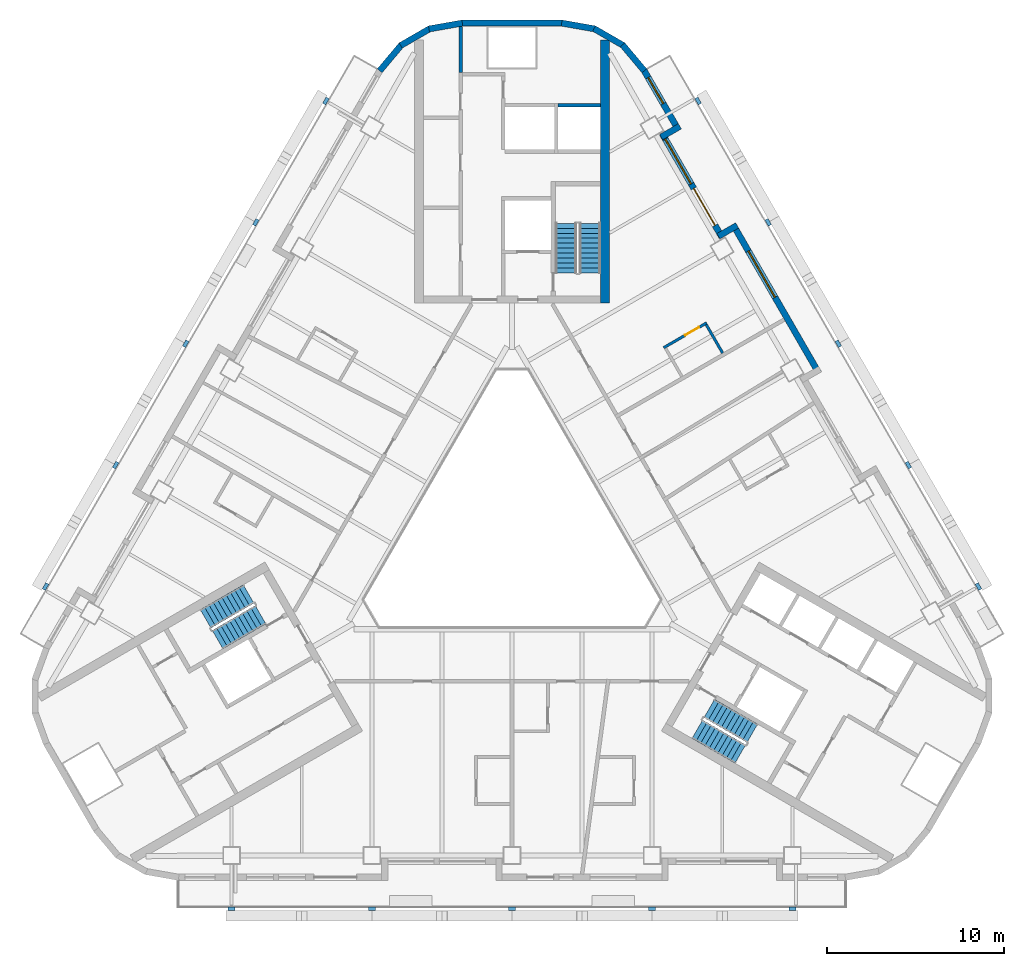
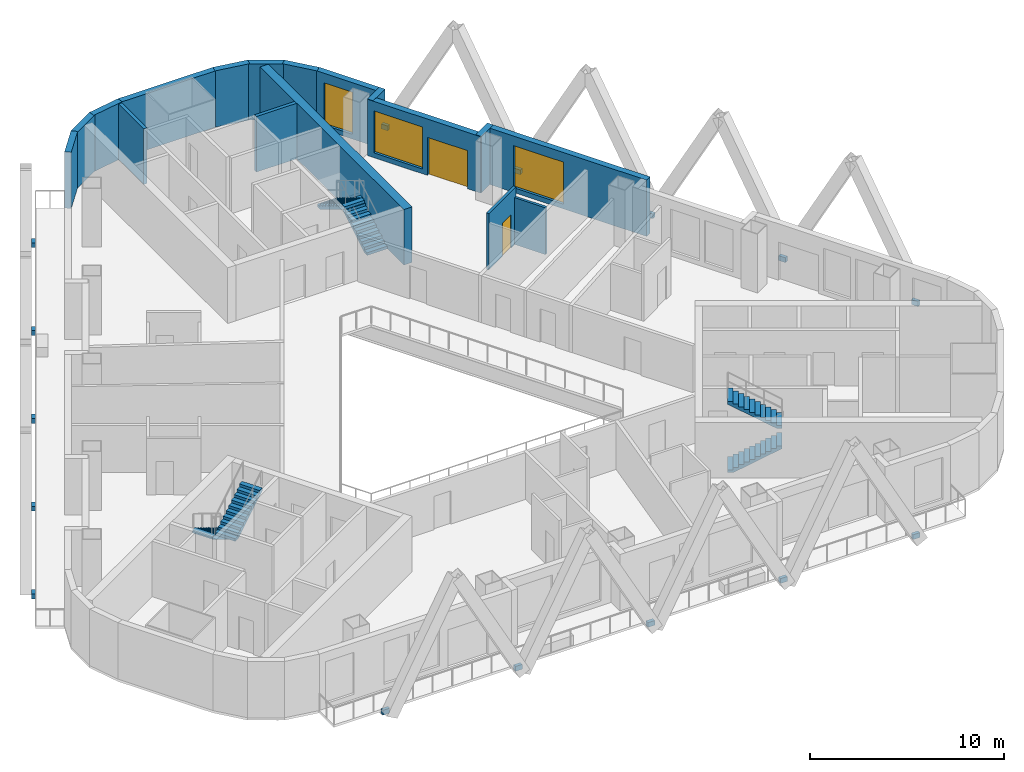
# One storey, part 7 of 13: 17 walls, 15 discrete accessories, 6 stair flights, 3 windows, 2 doors, 5 openings, 3 elements without a shape of their own.
"""IFC4 building model written with IfcOpenShell, lengths in metres."""

import ifcopenshell
import ifcopenshell.guid

model = None  # the IFC model being written
_history = None  # IfcOwnerHistory: only IFC2X3 demands one
_inside = {}  # id of a spatial element -> (the spatial element, [elements in it])
_under = {}  # id of a project, library or spatial element -> (it, [spatial elements below it])
_declared = {}  # id of a project -> (the project, [libraries it declares])
_typed = {}  # id of a type object -> (the type object, [elements of that type])
_made_of = {}  # id of a material, layer set ... -> (it, [elements and type objects made of it])


def new_model(schema):
    """Start an empty IFC model of exactly this schema.

    Asked for "IFC4X3", IfcOpenShell would pick the latest addendum, in which some entities
    have other attributes; the version numbers below select the first issue.
    IFC2X3 requires an IfcOwnerHistory on every rooted entity: one is made here for all.
    """
    global model, _history
    if schema == "IFC4X3":
        model = ifcopenshell.file(schema_version=(4, 3, 0, 0))
    else:
        model = ifcopenshell.file(schema=schema)
    _inside.clear()
    _under.clear()
    _declared.clear()
    _typed.clear()
    _made_of.clear()
    _history = None
    if model.schema == "IFC2X3":
        org = make("IfcOrganization", Name="unknown")
        user = make(
            "IfcPersonAndOrganization",
            ThePerson=make("IfcPerson", FamilyName="unknown"),
            TheOrganization=org,
        )
        app = make(
            "IfcApplication",
            ApplicationDeveloper=org,
            Version="unknown",
            ApplicationFullName="unknown",
            ApplicationIdentifier="unknown",
        )
        _history = make(
            "IfcOwnerHistory",
            OwningUser=user,
            OwningApplication=app,
            ChangeAction="ADDED",
            CreationDate=0,
        )
    return model


def make(cls, **values):
    """One entity of the class cls with the attributes given. An attribute that is None is left unset."""
    return model.create_entity(
        cls, **{name: value for name, value in values.items() if value is not None}
    )


def rooted(cls, **values):
    """An entity with a GlobalId (a new one), such as an element, a storey or a relation."""
    return make(cls, GlobalId=ifcopenshell.guid.new(), OwnerHistory=_history, **values)


def si_unit(unit_type, name, prefix=None):
    """IfcSIUnit, for example si_unit("LENGTHUNIT", "METRE", prefix="MILLI")."""
    return make("IfcSIUnit", UnitType=unit_type, Prefix=prefix, Name=name)


def assignment(units):
    """IfcUnitAssignment: the units of a project."""
    return None if units is None else make("IfcUnitAssignment", Units=units)


def point(xyz):
    """IfcCartesianPoint."""
    return None if xyz is None else make("IfcCartesianPoint", Coordinates=xyz)


def direction(xyz):
    """IfcDirection."""
    return None if xyz is None else make("IfcDirection", DirectionRatios=xyz)


def frame(location, z_axis=None, x_axis=None):
    """IfcAxis2Placement3D, a coordinate frame: its origin and axes. An axis left out is left unset."""
    return make(
        "IfcAxis2Placement3D",
        Location=point(location),
        Axis=direction(z_axis),
        RefDirection=direction(x_axis),
    )


def frame_2d(location, x_axis=None):
    """IfcAxis2Placement2D, a coordinate frame in the plane: its origin and x axis."""
    return make(
        "IfcAxis2Placement2D", Location=point(location), RefDirection=direction(x_axis)
    )


def origin():
    """The frame at (0, 0, 0) with its axes left unset."""
    return frame((0.0, 0.0, 0.0))


def origin_2d():
    """The frame at (0, 0) in the plane with its x axis left unset."""
    return frame_2d((0.0, 0.0))


def place(relative_to, where):
    """IfcLocalPlacement: puts the frame where relative to a parent placement (None: the world)."""
    return make(
        "IfcLocalPlacement", PlacementRelTo=relative_to, RelativePlacement=where
    )


def context(
    kind, dimensions, precision=None, world=None, true_north=None, identifier=None
):
    """IfcGeometricRepresentationContext, for example the 3D "Model" context."""
    return make(
        "IfcGeometricRepresentationContext",
        ContextIdentifier=identifier,
        ContextType=kind,
        CoordinateSpaceDimension=dimensions,
        Precision=precision,
        WorldCoordinateSystem=world,
        TrueNorth=true_north,
    )


def subcontext(parent, identifier, kind, view, scale=None):
    """IfcGeometricRepresentationSubContext, for example "Body" below "Model"."""
    return make(
        "IfcGeometricRepresentationSubContext",
        ContextIdentifier=identifier,
        ContextType=kind,
        ParentContext=parent,
        TargetScale=scale,
        TargetView=view,
    )


def project(units=None, contexts=None):
    """IfcProject with its units and contexts."""
    return rooted(
        "IfcProject",
        Name="project",
        RepresentationContexts=contexts,
        UnitsInContext=assignment(units),
    )


def spatial(cls, under=None, at=None, **own):
    """A site, building, storey or space (cls), placed at a placement, below another one or the project."""
    s = rooted(cls, ObjectPlacement=at, **own)
    if under is not None:
        _under.setdefault(under.id(), (under, []))[1].append(s)
    return s


def polyline(points):
    """IfcPolyline through the points."""
    return make("IfcPolyline", Points=[point(p) for p in points])


def profile(cls, at=None, kind="AREA", **sizes):
    """A parametric profile (cls). Its sizes go by their IFC names, for example OverallWidth=200.0."""
    return make(cls, ProfileType=kind, Position=at, **sizes)


def rectangle(**sizes):
    """IfcRectangleProfileDef."""
    return profile("IfcRectangleProfileDef", **sizes)


def outline(outer, holes=None, kind="AREA"):
    """IfcArbitraryClosedProfileDef: a profile drawn as a closed curve; with holes, ...WithVoids."""
    if holes is None:
        return make("IfcArbitraryClosedProfileDef", ProfileType=kind, OuterCurve=outer)
    return make(
        "IfcArbitraryProfileDefWithVoids",
        ProfileType=kind,
        OuterCurve=outer,
        InnerCurves=holes,
    )


def extrude(swept, where, along, depth):
    """IfcExtrudedAreaSolid: the profile swept, set in the frame where, extruded along a direction by depth."""
    return make(
        "IfcExtrudedAreaSolid",
        SweptArea=swept,
        Position=where,
        ExtrudedDirection=direction(along),
        Depth=depth,
    )


def shape(context_of_items, identifier, shape_type, items):
    """IfcShapeRepresentation: the items that make up one representation, for example the "Body"."""
    return make(
        "IfcShapeRepresentation",
        ContextOfItems=context_of_items,
        RepresentationIdentifier=identifier,
        RepresentationType=shape_type,
        Items=items,
    )


def material(Name=None, Category=None):
    """IfcMaterial."""
    return make("IfcMaterial", Name=Name, Category=Category)


def layer(
    of_material, thickness, ventilated=None, Name=None, Category=None, Priority=None
):
    """IfcMaterialLayer: one layer of a wall or slab, of a material (None: an air gap)."""
    return make(
        "IfcMaterialLayer",
        Material=of_material,
        LayerThickness=thickness,
        IsVentilated=ventilated,
        Name=Name,
        Category=Category,
        Priority=Priority,
    )


def layer_set(layers, Name=None):
    """IfcMaterialLayerSet."""
    return make("IfcMaterialLayerSet", MaterialLayers=layers, LayerSetName=Name)


def made_of(thing, what):
    """Note that an element or type object is made of a material, layer set ...; save() writes the relation."""
    if what is not None:
        _made_of.setdefault(what.id(), (what, []))[1].append(thing)
    return thing


def type_object(cls, material=None, **own):
    """A type object (cls), such as IfcWallType, which elements share."""
    return made_of(rooted(cls, **own), material)


def element(
    cls,
    number,
    at=None,
    inside=None,
    cuts=None,
    type_object=None,
    material=None,
    context=None,
    identifier="Body",
    shape_type=None,
    held_by="IfcProductDefinitionShape",
    body=None,
    shapes=None,
    **own,
):
    """One element of the class cls, such as IfcWall. Its Tag is "e" and its number.

    at: its placement. inside: the storey or other place that contains it. cuts: it is an
    opening in that element (IfcRelVoidsElement). A single representation is given by context,
    identifier, shape_type and body (its items); several are given by shapes. held_by: the class
    of the entity that holds the representations. save() writes the other relations.
    """
    e = rooted(cls, Tag="e%d" % number, ObjectPlacement=at, **own)
    if body is not None:
        shapes = [shape(context, identifier, shape_type, body)]
    if shapes is not None:
        e.Representation = make(held_by, Representations=shapes)
    if inside is not None:
        _inside.setdefault(inside.id(), (inside, []))[1].append(e)
    if cuts is not None:
        rooted(
            "IfcRelVoidsElement", RelatingBuildingElement=cuts, RelatedOpeningElement=e
        )
    if type_object is not None:
        _typed.setdefault(type_object.id(), (type_object, []))[1].append(e)
    return made_of(e, material)


def fill(opening, filler):
    """IfcRelFillsElement: the door or window that sits in an opening."""
    return rooted(
        "IfcRelFillsElement",
        RelatingOpeningElement=opening,
        RelatedBuildingElement=filler,
    )


def aggregate(whole, parts):
    """IfcRelAggregates: a whole, such as a stair, and the parts it consists of."""
    return rooted("IfcRelAggregates", RelatingObject=whole, RelatedObjects=parts)


def save(model, path):
    """Write the relations noted so far, then the file.

    IfcRelAggregates (storeys below a building ...), IfcRelContainedInSpatialStructure (elements
    in a storey), IfcRelDefinesByType, IfcRelAssociatesMaterial and IfcRelDeclares: one each for
    every whole, place, type object, material and project.
    """
    for whole, parts in _under.values():
        aggregate(whole, parts)
    for where, things in _inside.values():
        rooted(
            "IfcRelContainedInSpatialStructure",
            RelatedElements=things,
            RelatingStructure=where,
        )
    for kind, things in _typed.values():
        rooted("IfcRelDefinesByType", RelatedObjects=things, RelatingType=kind)
    for what, things in _made_of.values():
        rooted("IfcRelAssociatesMaterial", RelatedObjects=things, RelatingMaterial=what)
    for by, libraries in _declared.values():
        rooted("IfcRelDeclares", RelatingContext=by, RelatedDefinitions=libraries)
    model.write(path)


model = new_model("IFC4")

# Units and contexts
model_context = context("Model", 3, precision=1e-05, world=origin(), true_north=direction((0.0, 1.0)))
body_context = subcontext(model_context, "Body", "Model", "MODEL_VIEW")
ifc_project = project(units=[si_unit("LENGTHUNIT", "METRE"), si_unit("AREAUNIT", "SQUARE_METRE"), si_unit("VOLUMEUNIT", "CUBIC_METRE"), si_unit("PLANEANGLEUNIT", "RADIAN"), si_unit("MASSUNIT", "GRAM", prefix="KILO")], contexts=[model_context])

# Site, building, storey
site_placement = place(None, origin())
site = spatial("IfcSite", under=ifc_project, at=site_placement, CompositionType="ELEMENT")
building_placement = place(site_placement, origin())
building = spatial("IfcBuilding", under=site, at=building_placement, Name="Apuvela Tower Hotel", CompositionType="ELEMENT")
storey_placement = place(building_placement, frame((0.0, 0.0, 61.300048828125)))
storey = spatial("IfcBuildingStorey", under=building, at=storey_placement, Name="L12", CompositionType="ELEMENT", Elevation=61.300048828125)

# Walls
ifc_material_1 = material(Name="Concrete C50/60", Category="concrete")
ifc_layer_1 = layer(ifc_material_1, 0.5)
ifc_layer_set_1 = layer_set([ifc_layer_1], Name="COR-WALL-CORE-500")
wall_type_1 = type_object("IfcWallType", Name="COR-WALL-CORE-500", PredefinedType="SHEAR", material=ifc_layer_set_1)
wall_1_placement = place(storey_placement, frame((5.25, 12.89990234375, 0.0), z_axis=(0.0, 0.0, 1.0), x_axis=(0.0, 1.0, 0.0)))
element("IfcWall", 1, at=wall_1_placement, inside=storey, type_object=wall_type_1, Name="Core wall N", PredefinedType="SHEAR", context=body_context, shape_type="SweptSolid", body=[
    extrude(rectangle(XDim=14.8369140625, YDim=0.5, at=frame_2d((7.41845703125, 0.0))), origin(), (0.0, 0.0, 1.0), 3.5),
])
ifc_layer_2 = layer(ifc_material_1, 0.199951171875)
ifc_layer_set_2 = layer_set([ifc_layer_2], Name="COR-WALL-SHAFT-200")
wall_type_2 = type_object("IfcWallType", Name="COR-WALL-SHAFT-200", PredefinedType="SHEAR", material=ifc_layer_set_2)
wall_2_placement = place(storey_placement, frame((-2.89990234375, 25.89990234375, 0.0), z_axis=(0.0, 0.0, 1.0), x_axis=(0.0, 1.0, 0.0)))
element("IfcWall", 2, at=wall_2_placement, inside=storey, type_object=wall_type_2, Name="Shaft wall N", PredefinedType="SHEAR", context=body_context, shape_type="SweptSolid", body=[
    extrude(rectangle(XDim=2.60009765625, YDim=0.199951171875, at=frame_2d((1.300048828125, 0.0))), origin(), (0.0, 0.0, 1.0), 3.5),
])
wall_3_placement = place(storey_placement, frame((5.0, 24.050048828125, 0.0), z_axis=(0.0, 0.0, 1.0), x_axis=(-1.0, 0.0, 0.0)))
element("IfcWall", 3, at=wall_3_placement, inside=storey, type_object=wall_type_2, Name="Shaft wall N", PredefinedType="SHEAR", context=body_context, shape_type="SweptSolid", body=[
    extrude(rectangle(XDim=2.39990234375, YDim=0.199951171875, at=frame_2d((1.199951171875, 0.0))), origin(), (0.0, 0.0, 1.0), 3.5),
])

# Wall, opening, window
ifc_material_2 = material(Name="Concrete C40/50, dark pigmented precast panel", Category="concrete")
ifc_layer_3 = layer(ifc_material_2, 0.35009765625)
ifc_layer_set_3 = layer_set([ifc_layer_3], Name="ENV-WALL-350")
wall_type_3 = type_object("IfcWallType", Name="ENV-WALL-350", PredefinedType="SOLIDWALL", material=ifc_layer_set_3)
wall_4_placement = place(storey_placement, frame((17.298583984375, 8.947998046875, 0.0), z_axis=(0.0, 0.0, 1.0), x_axis=(-0.500010041276, 0.866019606374, 0.0)))
wall_4 = element("IfcWall", 4, at=wall_4_placement, inside=storey, type_object=wall_type_3, Name="External wall L12-37", PredefinedType="SOLIDWALL", context=body_context, shape_type="SweptSolid", body=[
    extrude(rectangle(XDim=9.699951171875, YDim=0.35009765625, at=frame_2d((4.85009765625, 0.0))), origin(), (0.0, 0.0, 1.0), 3.550048828125),
])
opening_1_placement = place(wall_4_placement, frame((4.94921875, 0.0, 0.300048828125)))
opening_1 = element("IfcOpeningElement", 5, at=opening_1_placement, cuts=wall_4, Name="Opening WN30", PredefinedType="OPENING", context=body_context, shape_type="SweptSolid", body=[
    extrude(rectangle(XDim=3.0, YDim=2.64990234375, at=frame_2d((1.5, 1.324951171875))), frame((0.0, 0.18505859375, 0.0), z_axis=(0.0, -1.0, 0.0), x_axis=(1.0, 0.0, 0.0)), (0.0, 0.0, 1.0), 0.3701171875),
])
ifc_material_3 = material(Name="Glass, dark tinted laminated insulated glazing unit", Category="glass")
window_type_1 = type_object("IfcWindowType", Name="ENV-WIN-3000x2650", PartitioningType="SINGLE_PANEL", PredefinedType="WINDOW", material=ifc_material_3)
window_1_placement = place(opening_1_placement, origin())
window_1 = element("IfcWindow", 6, at=window_1_placement, inside=storey, type_object=window_type_1, Name="Window WN30", OverallHeight=2.64990234375, OverallWidth=3.0, PartitioningType="SINGLE_PANEL", PredefinedType="WINDOW", context=body_context, shape_type="SweptSolid", body=[
    extrude(rectangle(XDim=3.0, YDim=2.64990234375, at=frame_2d((1.5, 1.324951171875))), frame((0.0, 0.030029296875, 0.0), z_axis=(0.0, -1.0, 0.0), x_axis=(1.0, 0.0, 0.0)), (0.0, 0.0, 1.0), 0.06005859375),
])
fill(opening_1, window_1)

# Wall
wall_5_placement = place(storey_placement, frame((12.6875, 17.284423828125, 0.0), z_axis=(0.0, 0.0, 1.0), x_axis=(-0.865955602162, -0.500120880472, 0.0)))
element("IfcWall", 7, at=wall_5_placement, inside=storey, type_object=wall_type_3, Name="External wall L12-38", PredefinedType="SOLIDWALL", context=body_context, shape_type="SweptSolid", body=[
    extrude(rectangle(XDim=1.219970703125, YDim=0.35009765625, at=frame_2d((0.60986328125, 0.0))), origin(), (0.0, 0.0, 1.0), 3.550048828125),
])

# Wall, openings, door, window
wall_6_placement = place(storey_placement, frame((11.8291015625, 16.621337890625, 0.0), z_axis=(0.0, 0.0, 1.0), x_axis=(-0.500003597184, 0.866023326939, 0.0)))
wall_6 = element("IfcWall", 8, at=wall_6_placement, inside=storey, type_object=wall_type_3, Name="External wall L12-39", PredefinedType="SOLIDWALL", context=body_context, shape_type="SweptSolid", body=[
    extrude(rectangle(XDim=6.740234375, YDim=0.35009765625, at=frame_2d((3.3701171875, 0.0))), origin(), (0.0, 0.0, 1.0), 3.550048828125),
])
opening_2_placement = place(wall_6_placement, frame((0.77001953125, 0.0, 0.0)))
opening_2 = element("IfcOpeningElement", 9, at=opening_2_placement, cuts=wall_6, Name="Opening BD24", PredefinedType="OPENING", context=body_context, shape_type="SweptSolid", body=[
    extrude(rectangle(XDim=2.39990234375, YDim=2.39990234375, at=frame_2d((1.199951171875, 1.199951171875))), frame((0.0, 0.18505859375, 0.0), z_axis=(0.0, -1.0, 0.0), x_axis=(1.0, 0.0, 0.0)), (0.0, 0.0, 1.0), 0.3701171875),
])
opening_3_placement = place(wall_6_placement, frame((3.469970703125, 0.0, 0.300048828125)))
opening_3 = element("IfcOpeningElement", 10, at=opening_3_placement, cuts=wall_6, Name="Opening WN29", PredefinedType="OPENING", context=body_context, shape_type="SweptSolid", body=[
    extrude(rectangle(XDim=2.89990234375, YDim=2.64990234375, at=frame_2d((1.449951171875, 1.324951171875))), frame((0.0, 0.18505859375, 0.0), z_axis=(0.0, -1.0, 0.0), x_axis=(1.0, 0.0, 0.0)), (0.0, 0.0, 1.0), 0.3701171875),
])
ifc_material_4 = material(Name="Aluminium 6063-T6, dark bronze anodised frame with dark tinted laminated glass", Category="aluminium")
door_type_1 = type_object("IfcDoorType", Name="ENV-DOOR-BALCONY-2400x2400", OperationType="SLIDING_TO_LEFT", PredefinedType="DOOR", material=ifc_material_4)
door_1_placement = place(opening_2_placement, frame((2.39990234375, 0.0, 0.0), z_axis=(0.0, 0.0, 1.0), x_axis=(-1.0, 0.0, 0.0)))
door_1 = element("IfcDoor", 11, at=door_1_placement, inside=storey, type_object=door_type_1, Name="Balcony door BD24", OperationType="SLIDING_TO_LEFT", OverallHeight=2.39990234375, OverallWidth=2.39990234375, PredefinedType="DOOR", context=body_context, shape_type="SweptSolid", body=[
    extrude(rectangle(XDim=2.39990234375, YDim=2.39990234375, at=frame_2d((1.199951171875, 1.199951171875))), frame((0.0, 0.02490234375, 0.0), z_axis=(0.0, -1.0, 0.0), x_axis=(1.0, 0.0, 0.0)), (0.0, 0.0, 1.0), 0.050048828125),
])
fill(opening_2, door_1)
window_type_2 = type_object("IfcWindowType", Name="ENV-WIN-2900x2650", PartitioningType="SINGLE_PANEL", PredefinedType="WINDOW", material=ifc_material_3)
window_2_placement = place(opening_3_placement, origin())
window_2 = element("IfcWindow", 12, at=window_2_placement, inside=storey, type_object=window_type_2, Name="Window WN29", OverallHeight=2.64990234375, OverallWidth=2.89990234375, PartitioningType="SINGLE_PANEL", PredefinedType="WINDOW", context=body_context, shape_type="SweptSolid", body=[
    extrude(rectangle(XDim=2.89990234375, YDim=2.64990234375, at=frame_2d((1.449951171875, 1.324951171875))), frame((0.0, 0.030029296875, 0.0), z_axis=(0.0, -1.0, 0.0), x_axis=(1.0, 0.0, 0.0)), (0.0, 0.0, 1.0), 0.06005859375),
])
fill(opening_3, window_2)

# Wall
wall_7_placement = place(storey_placement, frame((8.406005859375, 22.26025390625, 0.0), z_axis=(0.0, 0.0, 1.0), x_axis=(0.865955602162, 0.500120880472, 0.0)))
element("IfcWall", 13, at=wall_7_placement, inside=storey, type_object=wall_type_3, Name="External wall L12-40", PredefinedType="SOLIDWALL", context=body_context, shape_type="SweptSolid", body=[
    extrude(rectangle(XDim=1.219970703125, YDim=0.35009765625, at=frame_2d((0.60986328125, 0.0))), origin(), (0.0, 0.0, 1.0), 3.550048828125),
])

# Wall, opening, window
wall_8_placement = place(storey_placement, frame((9.3984375, 22.631103515625, 0.0), z_axis=(0.0, 0.0, 1.0), x_axis=(-0.499954521343, 0.866051659307, 0.0)))
wall_8 = element("IfcWall", 14, at=wall_8_placement, inside=storey, type_object=wall_type_3, Name="External wall L12-41", PredefinedType="SOLIDWALL", context=body_context, shape_type="SweptSolid", body=[
    extrude(rectangle(XDim=3.915771484375, YDim=0.35009765625, at=frame_2d((1.9580078125, 0.0))), origin(), (0.0, 0.0, 1.0), 3.550048828125),
])
opening_4_placement = place(wall_8_placement, frame((1.749755859375, 0.0, 0.300048828125)))
opening_4 = element("IfcOpeningElement", 15, at=opening_4_placement, cuts=wall_8, Name="Opening WN17", PredefinedType="OPENING", context=body_context, shape_type="SweptSolid", body=[
    extrude(rectangle(XDim=1.699951171875, YDim=2.64990234375, at=frame_2d((0.85009765625, 1.324951171875))), frame((0.0, 0.18505859375, 0.0), z_axis=(0.0, -1.0, 0.0), x_axis=(1.0, 0.0, 0.0)), (0.0, 0.0, 1.0), 0.3701171875),
])
window_type_3 = type_object("IfcWindowType", Name="ENV-WIN-1700x2650", PartitioningType="SINGLE_PANEL", PredefinedType="WINDOW", material=ifc_material_3)
window_3_placement = place(opening_4_placement, origin())
window_3 = element("IfcWindow", 16, at=window_3_placement, inside=storey, type_object=window_type_3, Name="Window WN17", OverallHeight=2.64990234375, OverallWidth=1.699951171875, PartitioningType="SINGLE_PANEL", PredefinedType="WINDOW", context=body_context, shape_type="SweptSolid", body=[
    extrude(rectangle(XDim=1.699951171875, YDim=2.64990234375, at=frame_2d((0.85009765625, 1.324951171875))), frame((0.0, 0.030029296875, 0.0), z_axis=(0.0, -1.0, 0.0), x_axis=(1.0, 0.0, 0.0)), (0.0, 0.0, 1.0), 0.06005859375),
])
fill(opening_4, window_3)

# Walls
wall_9_placement = place(storey_placement, frame((7.4580078125, 25.99755859375, 0.0), z_axis=(0.0, 0.0, 1.0), x_axis=(-0.642808304945, 0.766027077259, 0.0)))
element("IfcWall", 17, at=wall_9_placement, inside=storey, type_object=wall_type_3, Name="External wall L12-42", PredefinedType="SOLIDWALL", context=body_context, shape_type="SweptSolid", body=[
    extrude(rectangle(XDim=1.909912109375, YDim=0.35009765625, at=frame_2d((0.955078125, 0.0))), origin(), (0.0, 0.0, 1.0), 3.550048828125),
])
for number, where, z_axis, x_axis, name in (
    (18, (6.27685546875, 27.421630859375, 0.0), (0.0, 0.0, 1.0), (-0.866032345022, 0.499987977232, 0.0), "External wall L12-43"),
    (19, (4.6796875, 28.35595703125, 0.0), (0.0, 0.0, 1.0), (-0.984798995425, 0.173697837091, 0.0), "External wall L12-44"),
):
    element("IfcWall", number, at=place(storey_placement, frame(where, z_axis=z_axis, x_axis=x_axis)), inside=storey, type_object=wall_type_3, Name=name, PredefinedType="SOLIDWALL", context=body_context, shape_type="SweptSolid", body=[
        extrude(rectangle(XDim=1.91015625, YDim=0.35009765625, at=frame_2d((0.955078125, 0.0))), origin(), (0.0, 0.0, 1.0), 3.550048828125),
    ])
wall_10_placement = place(storey_placement, frame((2.8291015625, 28.68505859375, 0.0), z_axis=(0.0, 0.0, 1.0), x_axis=(-1.0, 0.0, 0.0)))
element("IfcWall", 20, at=wall_10_placement, inside=storey, type_object=wall_type_3, Name="External wall L12-45", PredefinedType="SOLIDWALL", context=body_context, shape_type="SweptSolid", body=[
    extrude(rectangle(XDim=5.658203125, YDim=0.35009765625, at=frame_2d((2.8291015625, 0.0))), origin(), (0.0, 0.0, 1.0), 3.550048828125),
])
for number, where, z_axis, x_axis, name in (
    (21, (-2.798583984375, 28.687744140625, 0.0), (0.0, 0.0, 1.0), (-0.984798995425, -0.173697837091, 0.0), "External wall L12-46"),
    (22, (-4.62255859375, 28.376708984375, 0.0), (0.0, 0.0, 1.0), (-0.866032345022, -0.499987977232, 0.0), "External wall L12-47"),
):
    element("IfcWall", number, at=place(storey_placement, frame(where, z_axis=z_axis, x_axis=x_axis)), inside=storey, type_object=wall_type_3, Name=name, PredefinedType="SOLIDWALL", context=body_context, shape_type="SweptSolid", body=[
        extrude(rectangle(XDim=1.91015625, YDim=0.35009765625, at=frame_2d((0.955078125, 0.0))), origin(), (0.0, 0.0, 1.0), 3.550048828125),
    ])
wall_11_placement = place(storey_placement, frame((-6.230224609375, 27.460693359375, 0.0), z_axis=(0.0, 0.0, 1.0), x_axis=(-0.642808304945, -0.766027077259, 0.0)))
element("IfcWall", 23, at=wall_11_placement, inside=storey, type_object=wall_type_3, Name="External wall L12-48", PredefinedType="SOLIDWALL", context=body_context, shape_type="SweptSolid", body=[
    extrude(rectangle(XDim=1.909912109375, YDim=0.35009765625, at=frame_2d((0.955078125, 0.0))), origin(), (0.0, 0.0, 1.0), 3.550048828125),
])

# Wall, opening, door
ifc_material_5 = material(Name="Moisture-resistant gypsum board wet wall on steel stud", Category="steel")
ifc_layer_4 = layer(ifc_material_5, 0.14990234375)
ifc_layer_set_4 = layer_set([ifc_layer_4], Name="GST-PW3")
wall_type_4 = type_object("IfcWallType", Name="GST-PW3", PredefinedType="PARTITIONING", material=ifc_layer_set_4)
wall_12_placement = place(storey_placement, frame((10.974365234375, 11.7919921875, 0.0), z_axis=(0.0, 0.0, 1.0), x_axis=(-0.866056369097, -0.49994636267, 0.0)))
wall_12 = element("IfcWall", 24, at=wall_12_placement, inside=storey, type_object=wall_type_4, Name="L12 partition 26", PredefinedType="PARTITIONING", context=body_context, shape_type="SweptSolid", body=[
    extrude(rectangle(XDim=2.800048828125, YDim=0.14990234375, at=frame_2d((1.39990234375, 0.0))), origin(), (0.0, 0.0, 1.0), 3.550048828125),
])
opening_5_placement = place(wall_12_placement, frame((0.5, 0.0, 0.0)))
opening_5 = element("IfcOpeningElement", 25, at=opening_5_placement, cuts=wall_12, Name="Opening GD03-11", PredefinedType="OPENING", context=body_context, shape_type="SweptSolid", body=[
    extrude(rectangle(XDim=0.89990234375, YDim=2.10009765625, at=frame_2d((0.449951171875, 1.050048828125))), frame((0.0, 0.0849609375, 0.0), z_axis=(0.0, -1.0, 0.0), x_axis=(1.0, 0.0, 0.0)), (0.0, 0.0, 1.0), 0.169921875),
])
ifc_material_6 = material(Name="Timber door leaf in steel frame", Category="steel")
door_type_2 = type_object("IfcDoorType", Name="GST-D2", OperationType="NOTDEFINED", PredefinedType="DOOR", material=ifc_material_6)
door_2_placement = place(opening_5_placement, origin())
door_2 = element("IfcDoor", 26, at=door_2_placement, inside=storey, type_object=door_type_2, Name="Door L12-11", OperationType="SINGLE_SWING_LEFT", OverallHeight=2.10009765625, OverallWidth=0.89990234375, PredefinedType="DOOR", context=body_context, shape_type="SweptSolid", body=[
    extrude(rectangle(XDim=0.89990234375, YDim=2.10009765625, at=frame_2d((0.449951171875, 1.050048828125))), frame((0.0, 0.02490234375, 0.0), z_axis=(0.0, -1.0, 0.0), x_axis=(1.0, 0.0, 0.0)), (0.0, 0.0, 1.0), 0.050048828125),
])
fill(opening_5, door_2)

# Wall
wall_13_placement = place(storey_placement, frame((11.871826171875, 10.08740234375, 0.0), z_axis=(0.0, 0.0, 1.0), x_axis=(-0.500042316284, 0.866000971088, 0.0)))
element("IfcWall", 27, at=wall_13_placement, inside=storey, type_object=wall_type_4, Name="L12 partition 27", PredefinedType="PARTITIONING", context=body_context, shape_type="SweptSolid", body=[
    extrude(rectangle(XDim=1.849853515625, YDim=0.14990234375, at=frame_2d((0.9248046875, 0.0))), origin(), (0.0, 0.0, 1.0), 2.949951171875),
])

# Stair, stair flights
stair_type = type_object("IfcStairType", Name="COR-STAIR-22R", PredefinedType="HALF_TURN_STAIR", material=ifc_material_1)
stair_1_placement = place(storey_placement, origin())
stair_1 = element("IfcStair", 28, at=stair_1_placement, inside=storey, type_object=stair_type, Name="L12 Exit stair ST1", PredefinedType="HALF_TURN_STAIR")
stair_flight_type = type_object("IfcStairFlightType", Name="COR-FLIGHT-11R", PredefinedType="STRAIGHT", material=ifc_material_1)
stair_flight_1_placement = place(storey_placement, frame((4.39990234375, 14.60009765625, 0.0), z_axis=(0.0, 0.0, 1.0), x_axis=(0.0, 1.0, 0.0)))
stair_flight_1 = element("IfcStairFlight", 29, at=stair_flight_1_placement, type_object=stair_flight_type, Name="ST1 flight 1", NumberOfRisers=11, NumberOfTreads=10, PredefinedType="STRAIGHT", RiserHeight=0.168181818, TreadLength=0.28, context=body_context, shape_type="SweptSolid", body=[
    extrude(outline(polyline([(0.0, 0.0), (0.0, 0.168212890625), (0.280029296875, 0.168212890625), (0.280029296875, 0.33642578125), (0.56005859375, 0.33642578125), (0.56005859375, 0.504638671875), (0.840087890625, 0.504638671875), (0.840087890625, 0.672607421875), (1.1201171875, 0.672607421875), (1.1201171875, 0.8408203125), (1.39990234375, 0.8408203125), (1.39990234375, 1.009033203125), (1.679931640625, 1.009033203125), (1.679931640625, 1.17724609375), (1.9599609375, 1.17724609375), (1.9599609375, 1.345458984375), (2.239990234375, 1.345458984375), (2.239990234375, 1.513671875), (2.52001953125, 1.513671875), (2.52001953125, 1.681884765625), (2.800048828125, 1.681884765625), (2.800048828125, 1.85009765625), (2.800048828125, 1.5068359375), (0.291015625, 0.0), (0.0, 0.0)])), frame((0.0, 0.60009765625, 0.0), z_axis=(0.0, -1.0, 0.0), x_axis=(1.0, 0.0, 0.0)), (0.0, 0.0, 1.0), 1.199951171875),
])
stair_flight_2_placement = place(storey_placement, frame((3.050048828125, 17.39990234375, 1.849853515625), z_axis=(0.0, 0.0, 1.0), x_axis=(0.0, -1.0, 0.0)))
stair_flight_2 = element("IfcStairFlight", 30, at=stair_flight_2_placement, type_object=stair_flight_type, Name="ST1 flight 2", NumberOfRisers=11, NumberOfTreads=10, PredefinedType="STRAIGHT", RiserHeight=0.168181818, TreadLength=0.28, context=body_context, shape_type="SweptSolid", body=[
    extrude(outline(polyline([(0.0, 0.0), (0.0, 0.168212890625), (0.280029296875, 0.168212890625), (0.280029296875, 0.33642578125), (0.56005859375, 0.33642578125), (0.56005859375, 0.504638671875), (0.840087890625, 0.504638671875), (0.840087890625, 0.672607421875), (1.1201171875, 0.672607421875), (1.1201171875, 0.8408203125), (1.39990234375, 0.8408203125), (1.39990234375, 1.009033203125), (1.679931640625, 1.009033203125), (1.679931640625, 1.17724609375), (1.9599609375, 1.17724609375), (1.9599609375, 1.345458984375), (2.239990234375, 1.345458984375), (2.239990234375, 1.513671875), (2.52001953125, 1.513671875), (2.52001953125, 1.681884765625), (2.800048828125, 1.681884765625), (2.800048828125, 1.85009765625), (2.800048828125, 1.5068359375), (0.291015625, 0.0), (0.0, 0.0)])), frame((0.0, 0.60009765625, 0.0), z_axis=(0.0, -1.0, 0.0), x_axis=(1.0, 0.0, 0.0)), (0.0, 0.0, 1.0), 1.199951171875),
])
aggregate(stair_1, [stair_flight_1, stair_flight_2])

stair_2_placement = place(storey_placement, origin())
stair_2 = element("IfcStair", 31, at=stair_2_placement, inside=storey, type_object=stair_type, Name="L12 Exit stair ST2", PredefinedType="HALF_TURN_STAIR")
stair_flight_3_placement = place(storey_placement, frame((-14.843994140625, -3.489501953125, 0.0), z_axis=(0.0, 0.0, 1.0), x_axis=(-0.866025403784, -0.5, 0.0)))
stair_flight_3 = element("IfcStairFlight", 32, at=stair_flight_3_placement, type_object=stair_flight_type, Name="ST2 flight 1", NumberOfRisers=11, NumberOfTreads=10, PredefinedType="STRAIGHT", RiserHeight=0.168181818, TreadLength=0.28, context=body_context, shape_type="SweptSolid", body=[
    extrude(outline(polyline([(0.0, 0.0), (0.0, 0.168212890625), (0.280029296875, 0.168212890625), (0.280029296875, 0.33642578125), (0.56005859375, 0.33642578125), (0.56005859375, 0.504638671875), (0.840087890625, 0.504638671875), (0.840087890625, 0.672607421875), (1.1201171875, 0.672607421875), (1.1201171875, 0.8408203125), (1.39990234375, 0.8408203125), (1.39990234375, 1.009033203125), (1.679931640625, 1.009033203125), (1.679931640625, 1.17724609375), (1.9599609375, 1.17724609375), (1.9599609375, 1.345458984375), (2.239990234375, 1.345458984375), (2.239990234375, 1.513671875), (2.52001953125, 1.513671875), (2.52001953125, 1.681884765625), (2.800048828125, 1.681884765625), (2.800048828125, 1.85009765625), (2.800048828125, 1.5068359375), (0.291015625, 0.0), (0.0, 0.0)])), frame((0.0, 0.60009765625, 0.0), z_axis=(0.0, -1.0, 0.0), x_axis=(1.0, 0.0, 0.0)), (0.0, 0.0, 1.0), 1.199951171875),
])
stair_flight_4_placement = place(storey_placement, frame((-16.59375, -6.05859375, 1.849853515625), z_axis=(0.0, 0.0, 1.0), x_axis=(0.866025403784, 0.5, 0.0)))
stair_flight_4 = element("IfcStairFlight", 33, at=stair_flight_4_placement, type_object=stair_flight_type, Name="ST2 flight 2", NumberOfRisers=11, NumberOfTreads=10, PredefinedType="STRAIGHT", RiserHeight=0.168181818, TreadLength=0.28, context=body_context, shape_type="SweptSolid", body=[
    extrude(outline(polyline([(0.0, 0.0), (0.0, 0.168212890625), (0.280029296875, 0.168212890625), (0.280029296875, 0.33642578125), (0.56005859375, 0.33642578125), (0.56005859375, 0.504638671875), (0.840087890625, 0.504638671875), (0.840087890625, 0.672607421875), (1.1201171875, 0.672607421875), (1.1201171875, 0.8408203125), (1.39990234375, 0.8408203125), (1.39990234375, 1.009033203125), (1.679931640625, 1.009033203125), (1.679931640625, 1.17724609375), (1.9599609375, 1.17724609375), (1.9599609375, 1.345458984375), (2.239990234375, 1.345458984375), (2.239990234375, 1.513671875), (2.52001953125, 1.513671875), (2.52001953125, 1.681884765625), (2.800048828125, 1.681884765625), (2.800048828125, 1.85009765625), (2.800048828125, 1.5068359375), (0.291015625, 0.0), (0.0, 0.0)])), frame((0.0, 0.60009765625, 0.0), z_axis=(0.0, -1.0, 0.0), x_axis=(1.0, 0.0, 0.0)), (0.0, 0.0, 1.0), 1.199951171875),
])
aggregate(stair_2, [stair_flight_3, stair_flight_4])

stair_3_placement = place(storey_placement, origin())
stair_3 = element("IfcStair", 34, at=stair_3_placement, inside=storey, type_object=stair_type, Name="L12 Exit stair ST3", PredefinedType="HALF_TURN_STAIR")
stair_flight_5_placement = place(storey_placement, frame((10.444091796875, -11.110595703125, 0.0), z_axis=(0.0, 0.0, 1.0), x_axis=(0.866025403784, -0.5, 0.0)))
stair_flight_5 = element("IfcStairFlight", 35, at=stair_flight_5_placement, type_object=stair_flight_type, Name="ST3 flight 1", NumberOfRisers=11, NumberOfTreads=10, PredefinedType="STRAIGHT", RiserHeight=0.168181818, TreadLength=0.28, context=body_context, shape_type="SweptSolid", body=[
    extrude(outline(polyline([(0.0, 0.0), (0.0, 0.168212890625), (0.280029296875, 0.168212890625), (0.280029296875, 0.33642578125), (0.56005859375, 0.33642578125), (0.56005859375, 0.504638671875), (0.840087890625, 0.504638671875), (0.840087890625, 0.672607421875), (1.1201171875, 0.672607421875), (1.1201171875, 0.8408203125), (1.39990234375, 0.8408203125), (1.39990234375, 1.009033203125), (1.679931640625, 1.009033203125), (1.679931640625, 1.17724609375), (1.9599609375, 1.17724609375), (1.9599609375, 1.345458984375), (2.239990234375, 1.345458984375), (2.239990234375, 1.513671875), (2.52001953125, 1.513671875), (2.52001953125, 1.681884765625), (2.800048828125, 1.681884765625), (2.800048828125, 1.85009765625), (2.800048828125, 1.5068359375), (0.291015625, 0.0), (0.0, 0.0)])), frame((0.0, 0.60009765625, 0.0), z_axis=(0.0, -1.0, 0.0), x_axis=(1.0, 0.0, 0.0)), (0.0, 0.0, 1.0), 1.199951171875),
])
stair_flight_6_placement = place(storey_placement, frame((13.5439453125, -11.34130859375, 1.849853515625), z_axis=(0.0, 0.0, 1.0), x_axis=(-0.866025403784, 0.5, 0.0)))
stair_flight_6 = element("IfcStairFlight", 36, at=stair_flight_6_placement, type_object=stair_flight_type, Name="ST3 flight 2", NumberOfRisers=11, NumberOfTreads=10, PredefinedType="STRAIGHT", RiserHeight=0.168181818, TreadLength=0.28, context=body_context, shape_type="SweptSolid", body=[
    extrude(outline(polyline([(0.0, 0.0), (0.0, 0.168212890625), (0.280029296875, 0.168212890625), (0.280029296875, 0.33642578125), (0.56005859375, 0.33642578125), (0.56005859375, 0.504638671875), (0.840087890625, 0.504638671875), (0.840087890625, 0.672607421875), (1.1201171875, 0.672607421875), (1.1201171875, 0.8408203125), (1.39990234375, 0.8408203125), (1.39990234375, 1.009033203125), (1.679931640625, 1.009033203125), (1.679931640625, 1.17724609375), (1.9599609375, 1.17724609375), (1.9599609375, 1.345458984375), (2.239990234375, 1.345458984375), (2.239990234375, 1.513671875), (2.52001953125, 1.513671875), (2.52001953125, 1.681884765625), (2.800048828125, 1.681884765625), (2.800048828125, 1.85009765625), (2.800048828125, 1.5068359375), (0.291015625, 0.0), (0.0, 0.0)])), frame((0.0, 0.60009765625, 0.0), z_axis=(0.0, -1.0, 0.0), x_axis=(1.0, 0.0, 0.0)), (0.0, 0.0, 1.0), 1.199951171875),
])
aggregate(stair_3, [stair_flight_5, stair_flight_6])

# Discrete accessories
ifc_material_7 = material(Name="Steel S355, black paint system", Category="steel")
discrete_accessory_type = type_object("IfcDiscreteAccessoryType", Name="ENV-FIN-BRACKET", PredefinedType="BRACKET", material=ifc_material_7)
for number, where, z_axis, x_axis, name in (
    (37, (26.28564453125, -3.068115234375, -0.25), (0.0, 0.0, 1.0), (-0.5, 0.866025403784, 0.0), "Fin bracket NE10"),
    (38, (22.335693359375, 3.7734375, -0.25), (0.0, 0.0, 1.0), (-0.5, 0.866025403784, 0.0), "Fin bracket NE11"),
    (39, (18.3857421875, 10.614990234375, -0.25), (0.0, 0.0, 1.0), (-0.5, 0.866025403784, 0.0), "Fin bracket NE12"),
    (40, (14.435791015625, 17.45654296875, -0.25), (0.0, 0.0, 1.0), (-0.5, 0.866025403784, 0.0), "Fin bracket NE13"),
    (41, (10.485595703125, 24.298095703125, -0.25), (0.0, 0.0, 1.0), (-0.5, 0.866025403784, 0.0), "Fin bracket NE14"),
    (42, (-10.485595703125, 24.298095703125, -0.25), (0.0, 0.0, 1.0), (-0.5, -0.866025403784, 0.0), "Fin bracket NW159"),
    (43, (-14.435791015625, 17.45654296875, -0.25), (0.0, 0.0, 1.0), (-0.5, -0.866025403784, 0.0), "Fin bracket NW160"),
    (44, (-18.3857421875, 10.614990234375, -0.25), (0.0, 0.0, 1.0), (-0.5, -0.866025403784, 0.0), "Fin bracket NW161"),
    (45, (-22.335693359375, 3.7734375, -0.25), (0.0, 0.0, 1.0), (-0.5, -0.866025403784, 0.0), "Fin bracket NW162"),
    (46, (-26.28564453125, -3.068115234375, -0.25), (0.0, 0.0, 1.0), (-0.5, -0.866025403784, 0.0), "Fin bracket NW163"),
    (47, (-15.800048828125, -21.22998046875, -0.25), (0.0, 0.0, 1.0), (1.0, 0.0, 0.0), "Fin bracket S309"),
    (48, (-7.89990234375, -21.22998046875, -0.25), (0.0, 0.0, 1.0), (1.0, 0.0, 0.0), "Fin bracket S310"),
    (49, (0.0, -21.22998046875, -0.25), (0.0, 0.0, 1.0), (1.0, 0.0, 0.0), "Fin bracket S311"),
    (50, (7.89990234375, -21.22998046875, -0.25), (0.0, 0.0, 1.0), (1.0, 0.0, 0.0), "Fin bracket S312"),
    (51, (15.800048828125, -21.22998046875, -0.25), (0.0, 0.0, 1.0), (1.0, 0.0, 0.0), "Fin bracket S313"),
):
    element("IfcDiscreteAccessory", number, at=place(storey_placement, frame(where, z_axis=z_axis, x_axis=x_axis)), inside=storey, type_object=discrete_accessory_type, Name=name, PredefinedType="BRACKET", context=body_context, shape_type="SweptSolid", body=[
        extrude(rectangle(XDim=0.39990234375, YDim=0.199951171875, at=origin_2d()), origin(), (0.0, 0.0, 1.0), 0.300048828125),
    ])

save(model, "model.ifc")
